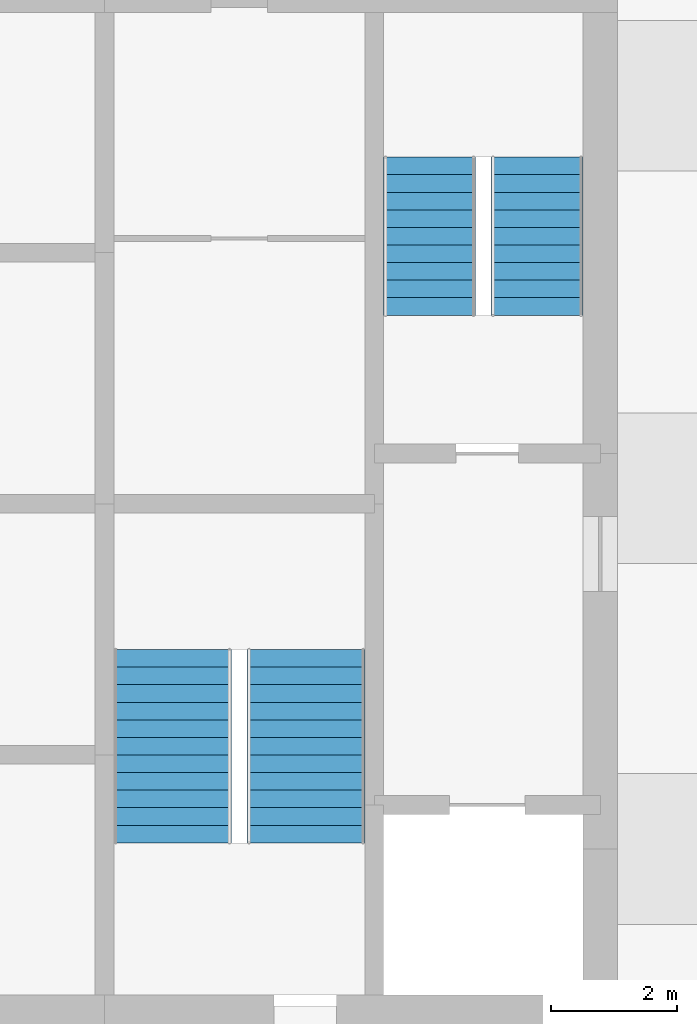
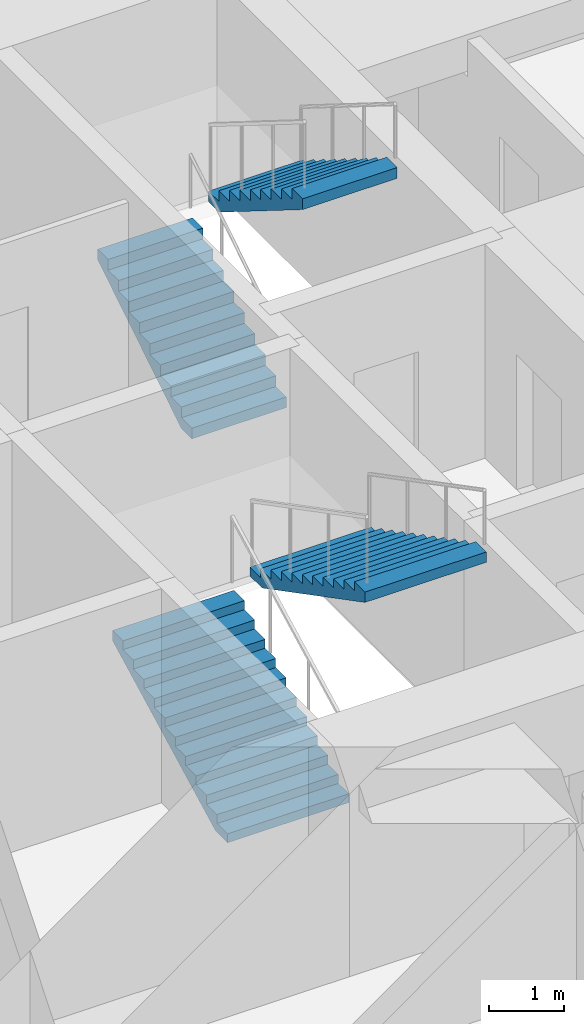
# One storey, part 17 of 18: 4 stair flights, 2 elements without a shape of their own.
"""IFC4 building model written with IfcOpenShell, lengths in metres."""

from ifc_helpers import new_model, si_unit, direction, frame, origin, place, context, subcontext, project, spatial, polyline, outline, extrude, material, type_object, element, aggregate, save


model = new_model("IFC4")

# Units and contexts
model_context = context("Model", 3, precision=1e-05, world=origin(), true_north=direction((0.0, 1.0)))
body_context = subcontext(model_context, "Body", "Model", "MODEL_VIEW")
ifc_project = project(units=[si_unit("LENGTHUNIT", "METRE"), si_unit("AREAUNIT", "SQUARE_METRE"), si_unit("VOLUMEUNIT", "CUBIC_METRE"), si_unit("PLANEANGLEUNIT", "RADIAN"), si_unit("MASSUNIT", "GRAM", prefix="KILO")], contexts=[model_context])

# Site, building, storey
site_placement = place(None, origin())
site = spatial("IfcSite", under=ifc_project, at=site_placement, CompositionType="ELEMENT")
building_placement = place(site_placement, origin())
building = spatial("IfcBuilding", under=site, at=building_placement, Name="Jalousie Tower", CompositionType="ELEMENT")
storey_placement = place(building_placement, frame((0.0, 0.0, 228.449951171875)))
storey = spatial("IfcBuildingStorey", under=building, at=storey_placement, Name="L62", CompositionType="ELEMENT", Elevation=228.449951171875)

# Stair, stair flights
ifc_material_1 = material(Name="Concrete f'c 40 MPa", Category="concrete")
stair_type = type_object("IfcStairType", Name="EXIT STAIR", PredefinedType="HALF_TURN_STAIR", material=ifc_material_1)
stair_1_placement = place(storey_placement, origin())
stair_1 = element("IfcStair", 1, at=stair_1_placement, inside=storey, type_object=stair_type, Name="Exit stair B L62", PredefinedType="HALF_TURN_STAIR")
ifc_material_2 = material(Name="Concrete f'c 40 MPa", Category="concrete")
stair_flight_type = type_object("IfcStairFlightType", Name="STAIR FLIGHT", PredefinedType="STRAIGHT", material=ifc_material_2)
stair_flight_1_placement = place(storey_placement, frame((41.081298828125, 21.50244140625, 0.0), z_axis=(0.0, 0.0, 1.0), x_axis=(0.0, 1.0, 0.0)))
stair_flight_1 = element("IfcStairFlight", 2, at=stair_flight_1_placement, type_object=stair_flight_type, Name="ST-B flight 1", NumberOfRisers=10, NumberOfTreads=9, PredefinedType="STRAIGHT", RiserHeight=0.175, TreadLength=0.28, context=body_context, shape_type="SweptSolid", body=[
    extrude(outline(polyline([(0.0, 0.0), (0.0, 0.175048828125), (0.280029296875, 0.175048828125), (0.280029296875, 0.35009765625), (0.56005859375, 0.35009765625), (0.56005859375, 0.52490234375), (0.840087890625, 0.52490234375), (0.840087890625, 0.699951171875), (1.1201171875, 0.699951171875), (1.1201171875, 0.875), (1.39990234375, 0.875), (1.39990234375, 1.050048828125), (1.679931640625, 1.050048828125), (1.679931640625, 1.22509765625), (1.9599609375, 1.22509765625), (1.9599609375, 1.39990234375), (2.239990234375, 1.39990234375), (2.239990234375, 1.574951171875), (2.52001953125, 1.574951171875), (2.52001953125, 1.75), (2.52001953125, 1.398193359375), (0.28271484375, 0.0), (0.0, 0.0)])), frame((0.0, 0.731201171875, 0.0), z_axis=(0.0, -1.0, 0.0), x_axis=(1.0, 0.0, 0.0)), (0.0, 0.0, 1.0), 1.46240234375),
])
stair_flight_2_placement = place(storey_placement, frame((42.793701171875, 24.0224609375, 1.75), z_axis=(0.0, 0.0, 1.0), x_axis=(0.0, -1.0, 0.0)))
stair_flight_2 = element("IfcStairFlight", 3, at=stair_flight_2_placement, type_object=stair_flight_type, Name="ST-B flight 2", NumberOfRisers=10, NumberOfTreads=9, PredefinedType="STRAIGHT", RiserHeight=0.175, TreadLength=0.28, context=body_context, shape_type="SweptSolid", body=[
    extrude(outline(polyline([(0.0, 0.0), (0.0, 0.175048828125), (0.280029296875, 0.175048828125), (0.280029296875, 0.35009765625), (0.56005859375, 0.35009765625), (0.56005859375, 0.52490234375), (0.840087890625, 0.52490234375), (0.840087890625, 0.699951171875), (1.1201171875, 0.699951171875), (1.1201171875, 0.875), (1.39990234375, 0.875), (1.39990234375, 1.050048828125), (1.679931640625, 1.050048828125), (1.679931640625, 1.22509765625), (1.9599609375, 1.22509765625), (1.9599609375, 1.39990234375), (2.239990234375, 1.39990234375), (2.239990234375, 1.574951171875), (2.52001953125, 1.574951171875), (2.52001953125, 1.75), (2.52001953125, 1.398193359375), (0.28271484375, 0.0), (0.0, 0.0)])), frame((0.0, 0.731201171875, 0.0), z_axis=(0.0, -1.0, 0.0), x_axis=(1.0, 0.0, 0.0)), (0.0, 0.0, 1.0), 1.46240234375),
])
aggregate(stair_1, [stair_flight_1, stair_flight_2])

stair_2_placement = place(storey_placement, origin())
stair_2 = element("IfcStair", 4, at=stair_2_placement, inside=storey, type_object=stair_type, Name="Exit stair C L62", PredefinedType="HALF_TURN_STAIR")
stair_flight_3_placement = place(storey_placement, frame((36.987548828125, 13.097412109375, 0.0), z_axis=(0.0, 0.0, 1.0), x_axis=(0.0, 1.0, 0.0)))
stair_flight_3 = element("IfcStairFlight", 5, at=stair_flight_3_placement, type_object=stair_flight_type, Name="ST-C flight 1", NumberOfRisers=12, NumberOfTreads=11, PredefinedType="STRAIGHT", RiserHeight=0.145833333, TreadLength=0.28, context=body_context, shape_type="SweptSolid", body=[
    extrude(outline(polyline([(0.0, 0.0), (0.0, 0.145751953125), (0.280029296875, 0.145751953125), (0.280029296875, 0.291748046875), (0.56005859375, 0.291748046875), (0.56005859375, 0.4375), (0.840087890625, 0.4375), (0.840087890625, 0.583251953125), (1.1201171875, 0.583251953125), (1.1201171875, 0.729248046875), (1.39990234375, 0.729248046875), (1.39990234375, 0.875), (1.679931640625, 0.875), (1.679931640625, 1.020751953125), (1.9599609375, 1.020751953125), (1.9599609375, 1.166748046875), (2.239990234375, 1.166748046875), (2.239990234375, 1.3125), (2.52001953125, 1.3125), (2.52001953125, 1.458251953125), (2.800048828125, 1.458251953125), (2.800048828125, 1.604248046875), (3.080078125, 1.604248046875), (3.080078125, 1.75), (3.080078125, 1.43505859375), (0.324462890625, 0.0), (0.0, 0.0)])), frame((0.0, 0.9375, 0.0), z_axis=(0.0, -1.0, 0.0), x_axis=(1.0, 0.0, 0.0)), (0.0, 0.0, 1.0), 1.875),
])
stair_flight_4_placement = place(storey_placement, frame((39.112548828125, 16.177490234375, 1.75), z_axis=(0.0, 0.0, 1.0), x_axis=(0.0, -1.0, 0.0)))
stair_flight_4 = element("IfcStairFlight", 6, at=stair_flight_4_placement, type_object=stair_flight_type, Name="ST-C flight 2", NumberOfRisers=12, NumberOfTreads=11, PredefinedType="STRAIGHT", RiserHeight=0.145833333, TreadLength=0.28, context=body_context, shape_type="SweptSolid", body=[
    extrude(outline(polyline([(0.0, 0.0), (0.0, 0.145751953125), (0.280029296875, 0.145751953125), (0.280029296875, 0.291748046875), (0.56005859375, 0.291748046875), (0.56005859375, 0.4375), (0.840087890625, 0.4375), (0.840087890625, 0.583251953125), (1.1201171875, 0.583251953125), (1.1201171875, 0.729248046875), (1.39990234375, 0.729248046875), (1.39990234375, 0.875), (1.679931640625, 0.875), (1.679931640625, 1.020751953125), (1.9599609375, 1.020751953125), (1.9599609375, 1.166748046875), (2.239990234375, 1.166748046875), (2.239990234375, 1.3125), (2.52001953125, 1.3125), (2.52001953125, 1.458251953125), (2.800048828125, 1.458251953125), (2.800048828125, 1.604248046875), (3.080078125, 1.604248046875), (3.080078125, 1.75), (3.080078125, 1.43505859375), (0.324462890625, 0.0), (0.0, 0.0)])), frame((0.0, 0.9375, 0.0), z_axis=(0.0, -1.0, 0.0), x_axis=(1.0, 0.0, 0.0)), (0.0, 0.0, 1.0), 1.875),
])
aggregate(stair_2, [stair_flight_3, stair_flight_4])

save(model, "model.ifc")
